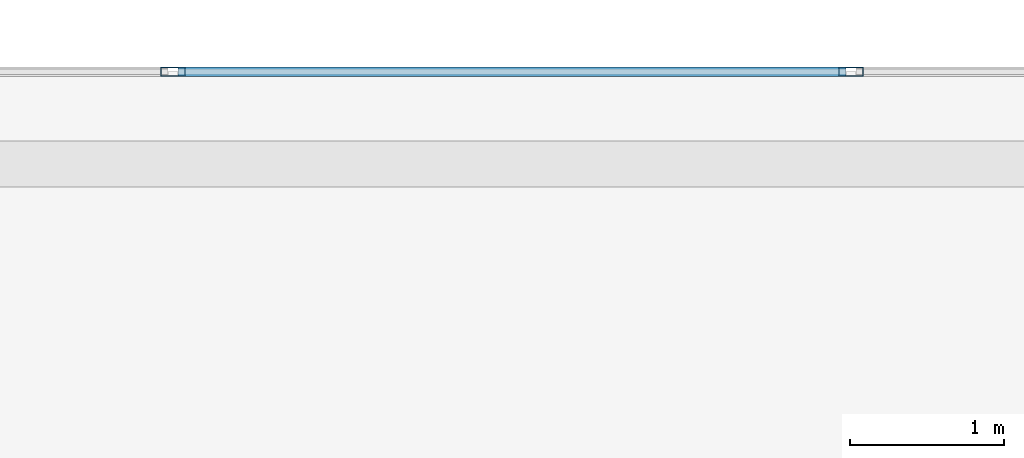
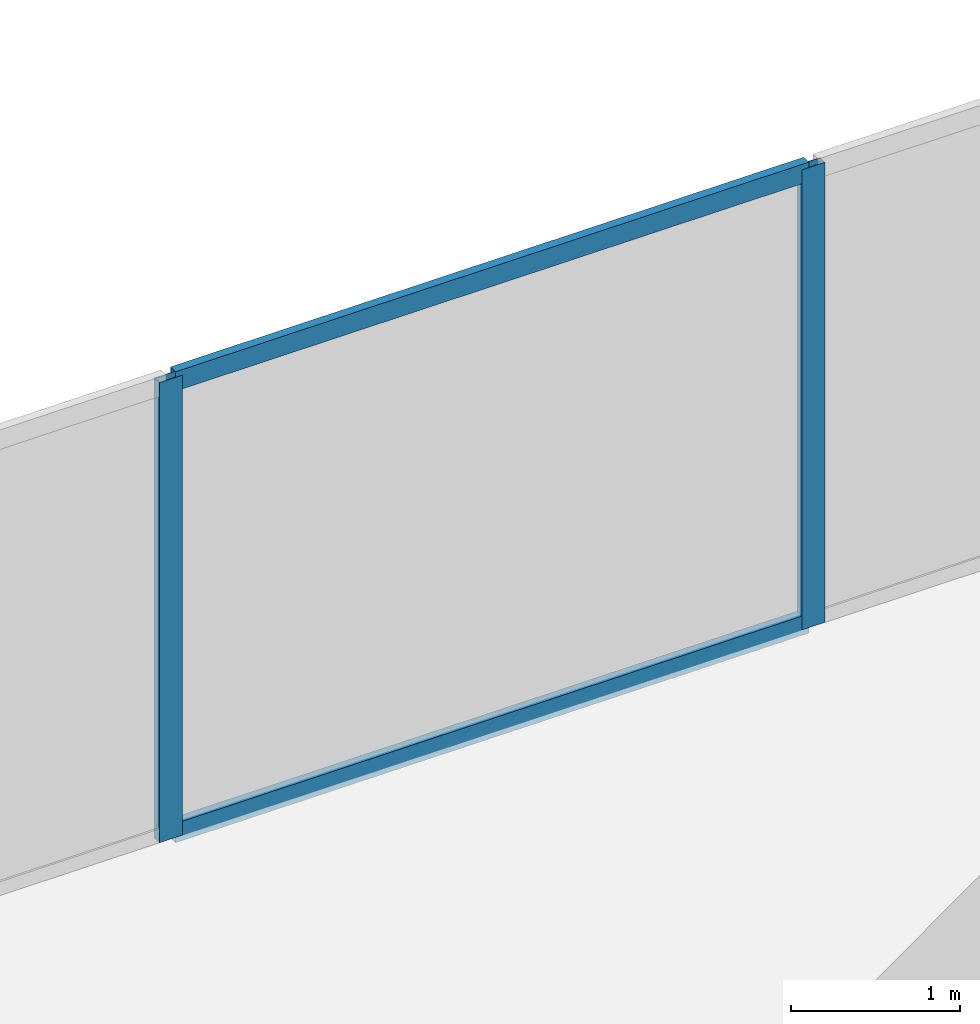
# One storey, part 22 of 34: 4 members, 1 element without a shape of its own.
"""IFC4 building model written with IfcOpenShell, lengths in metres."""

from ifc_helpers import new_model, si_unit, direction, frame, origin, origin_2d, place, context, subcontext, project, spatial, hollow_rectangle, extrude, material, layer, layer_set, material_profile, profile_set, type_object, element, aggregate, save


model = new_model("IFC4")

# Units and contexts
model_context = context("Model", 3, precision=1e-05, world=origin(), true_north=direction((0.0, 1.0)))
body_context = subcontext(model_context, "Body", "Model", "MODEL_VIEW")
ifc_project = project(units=[si_unit("LENGTHUNIT", "METRE"), si_unit("AREAUNIT", "SQUARE_METRE"), si_unit("VOLUMEUNIT", "CUBIC_METRE"), si_unit("PLANEANGLEUNIT", "RADIAN"), si_unit("MASSUNIT", "GRAM", prefix="KILO")], contexts=[model_context])

# Site, building, storey
site_placement = place(None, origin())
site = spatial("IfcSite", under=ifc_project, at=site_placement, CompositionType="ELEMENT")
building_placement = place(site_placement, origin())
building = spatial("IfcBuilding", under=site, at=building_placement, Name="Catumbela Crestline Tower", CompositionType="ELEMENT")
storey_placement = place(building_placement, frame((0.0, 0.0, 115.2)))
storey = spatial("IfcBuildingStorey", under=building, at=storey_placement, Name="L29", CompositionType="ELEMENT", Elevation=115.2)

# Curtain wall, members
ifc_material = material(Name="Aluminium alloy AW-6060-T66", Category="aluminium")
ifc_layer = layer(ifc_material, 0.18, Name="Aluminium alloy AW-6060-T66")
ifc_layer_set = layer_set([ifc_layer], Name="Aluminium alloy AW-6060-T66")
curtain_wall_type = type_object("IfcCurtainWallType", Name="CWU-Z2", PredefinedType="USERDEFINED", material=ifc_layer_set)
curtain_wall_placement = place(storey_placement, origin())
curtain_wall = element("IfcCurtainWall", 1, at=curtain_wall_placement, inside=storey, type_object=curtain_wall_type, Name="L29 Unitised Curtain Wall CW-L29-E7S1", ObjectType="UNITISED", PredefinedType="USERDEFINED")
ifc_material_profile_1 = material_profile(ifc_material, hollow_rectangle(XDim=0.06, YDim=0.16, WallThickness=0.004, at=origin_2d()), Name="ALU 160x60x4")
ifc_profile_set_1 = profile_set([ifc_material_profile_1], Name="Aluminium alloy AW-6060-T66")
member_type_1 = type_object("IfcMemberType", Name="MUL-160X60", PredefinedType="MULLION", material=ifc_profile_set_1)
member_1_placement = place(storey_placement, frame((29.9, 48.0, 0.0), z_axis=(0.0, 0.0, 1.0), x_axis=(0.0, -1.0, 0.0)))
member_1 = element("IfcMember", 2, at=member_1_placement, type_object=member_type_1, Name="CWU-Z2 mullion 5", PredefinedType="MULLION", context=body_context, shape_type="SweptSolid", body=[
    extrude(hollow_rectangle(XDim=0.06, YDim=0.16, WallThickness=0.004, at=origin_2d()), origin(), (0.0, 0.0, 1.0), 3.33),
])
member_2_placement = place(storey_placement, frame((25.5, 48.0, 0.0), z_axis=(0.0, 0.0, 1.0), x_axis=(0.0, -1.0, 0.0)))
member_2 = element("IfcMember", 3, at=member_2_placement, type_object=member_type_1, Name="CWU-Z2 mullion 6", PredefinedType="MULLION", context=body_context, shape_type="SweptSolid", body=[
    extrude(hollow_rectangle(XDim=0.06, YDim=0.16, WallThickness=0.004, at=origin_2d()), origin(), (0.0, 0.0, 1.0), 3.33),
])
ifc_material_profile_2 = material_profile(ifc_material, hollow_rectangle(XDim=0.06, YDim=0.14, WallThickness=0.004, at=origin_2d()), Name="ALU 140x60x4")
ifc_profile_set_2 = profile_set([ifc_material_profile_2], Name="Aluminium alloy AW-6060-T66")
member_type_2 = type_object("IfcMemberType", Name="TRN-140X60", PredefinedType="USERDEFINED", material=ifc_profile_set_2)
member_3_placement = place(storey_placement, frame((29.8675, 48.0, 0.03), z_axis=(-1.0, 0.0, 0.0), x_axis=(0.0, -1.0, 0.0)))
member_3 = element("IfcMember", 4, at=member_3_placement, type_object=member_type_2, Name="CWU-Z2 transom 5.1", ObjectType="TRANSOM", PredefinedType="USERDEFINED", context=body_context, shape_type="SweptSolid", body=[
    extrude(hollow_rectangle(XDim=0.06, YDim=0.14, WallThickness=0.004, at=origin_2d()), origin(), (0.0, 0.0, 1.0), 4.335),
])
member_4_placement = place(storey_placement, frame((29.8675, 48.0, 3.3), z_axis=(-1.0, 0.0, 0.0), x_axis=(0.0, -1.0, 0.0)))
member_4 = element("IfcMember", 5, at=member_4_placement, type_object=member_type_2, Name="CWU-Z2 transom 5.2", ObjectType="TRANSOM", PredefinedType="USERDEFINED", context=body_context, shape_type="SweptSolid", body=[
    extrude(hollow_rectangle(XDim=0.06, YDim=0.14, WallThickness=0.004, at=origin_2d()), origin(), (0.0, 0.0, 1.0), 4.335),
])
aggregate(curtain_wall, [member_1, member_2, member_3, member_4])

save(model, "model.ifc")
